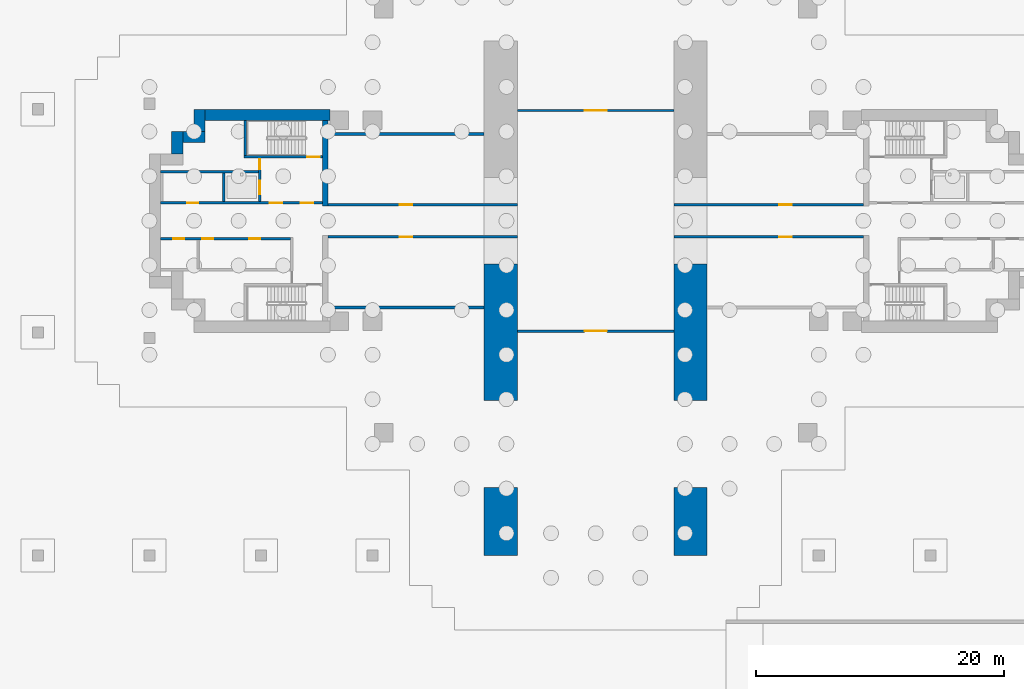
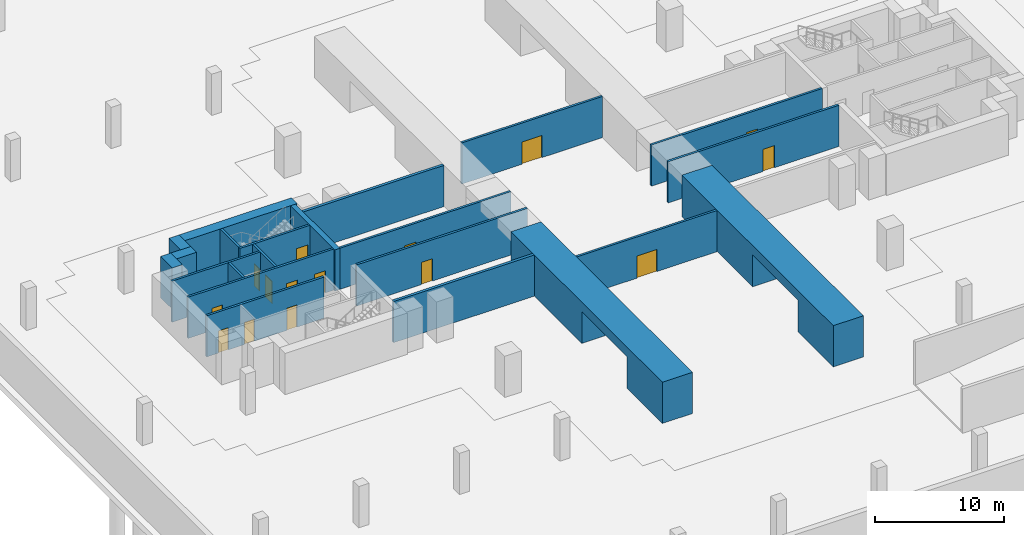
# One storey, part 5 of 11: 22 walls, 15 doors, 15 openings.
"""IFC4 building model written with IfcOpenShell, lengths in metres."""

from ifc_helpers import new_model, si_unit, direction, frame, frame_2d, origin, place, context, subcontext, project, spatial, polyline, rectangle, outline, extrude, material, layer, layer_set, material_profile, profile_set, type_object, element, fill, save


model = new_model("IFC4")

# Units and contexts
model_context = context("Model", 3, precision=1e-05, world=origin(), true_north=direction((0.0, 1.0)))
body_context = subcontext(model_context, "Body", "Model", "MODEL_VIEW")
ifc_project = project(units=[si_unit("LENGTHUNIT", "METRE"), si_unit("AREAUNIT", "SQUARE_METRE"), si_unit("VOLUMEUNIT", "CUBIC_METRE"), si_unit("PLANEANGLEUNIT", "RADIAN"), si_unit("MASSUNIT", "GRAM", prefix="KILO")], contexts=[model_context])

# Site, building, storey
site_placement = place(None, origin())
site = spatial("IfcSite", under=ifc_project, at=site_placement, CompositionType="ELEMENT")
building_placement = place(site_placement, origin())
building = spatial("IfcBuilding", under=site, at=building_placement, Name="Perihelion Cross Residences", CompositionType="ELEMENT")
storey_placement = place(building_placement, frame((0.0, 0.0, -17.10009765625)))
storey = spatial("IfcBuildingStorey", under=building, at=storey_placement, Name="B4", CompositionType="ELEMENT", Elevation=-17.10009765625)

# Walls
ifc_material_1 = material(Name="Concrete C40/50", Category="concrete")
ifc_layer_1 = layer(ifc_material_1, 0.25)
ifc_layer_set_1 = layer_set([ifc_layer_1], Name="Basement enclosure wall 250")
wall_type_1 = type_object("IfcWallType", Name="Basement enclosure wall 250", PredefinedType="SOLIDWALL", material=ifc_layer_set_1)
for number, where, z_axis, x_axis, name in (
    (1, (-9.0, 7.0, 0.0), (0.0, 0.0, 1.0), (-1.0, 0.0, 0.0), "Basement enclosure wall B4 w.encl.n"),
    (2, (-9.0, -7.0, 0.0), (0.0, 0.0, 1.0), (-1.0, 0.0, 0.0), "Basement enclosure wall B4 w.encl.s"),
):
    element("IfcWall", number, at=place(storey_placement, frame(where, z_axis=z_axis, x_axis=x_axis)), inside=storey, type_object=wall_type_1, Name=name, PredefinedType="SOLIDWALL", context=body_context, shape_type="SweptSolid", body=[
        extrude(rectangle(XDim=12.60009765625, YDim=0.25, at=frame_2d((6.300048828125, 0.0))), origin(), (0.0, 0.0, 1.0), 3.900146484375),
    ])
ifc_material_2 = material(Name="Concrete C60/75", Category="concrete")
ifc_layer_2 = layer(ifc_material_2, 0.449951171875)
ifc_layer_set_2 = layer_set([ifc_layer_2], Name="Core wall, inner 450")
wall_type_2 = type_object("IfcWallType", Name="Core wall, inner 450", PredefinedType="SHEAR", material=ifc_layer_set_2)
wall_1_placement = place(storey_placement, frame((-21.824951171875, 1.199951171875, 0.0), z_axis=(0.0, 0.0, 1.0), x_axis=(0.0, 1.0, 0.0)))
element("IfcWall", 3, at=wall_1_placement, inside=storey, type_object=wall_type_2, Name="West core core wall, inner", PredefinedType="SHEAR", context=body_context, shape_type="SweptSolid", body=[
    extrude(rectangle(XDim=6.900146484375, YDim=0.449951171875, at=frame_2d((3.4501953125, 0.0))), origin(), (0.0, 0.0, 1.0), 3.900146484375),
])
ifc_material_3 = material(Name="Concrete C60/75", Category="concrete")
ifc_layer_3 = layer(ifc_material_3, 0.89990234375)
ifc_layer_set_3 = layer_set([ifc_layer_3], Name="Core wall, outer 900")
wall_type_3 = type_object("IfcWallType", Name="Core wall, outer 900", PredefinedType="SHEAR", material=ifc_layer_set_3)
for number, where, z_axis, x_axis, name in (
    (4, (-33.75, 5.39990234375, 0.0), (0.0, 0.0, 1.0), (0.0, 1.0, 0.0), "West core core wall, outer"),
    (5, (-33.300048828125, 6.75, 0.0), (0.0, 0.0, 1.0), (1.0, 0.0, 0.0), "West core core wall, outer"),
    (6, (-31.949951171875, 7.199951171875, 0.0), (0.0, 0.0, 1.0), (0.0, 1.0, 0.0), "West core core wall, outer"),
):
    element("IfcWall", number, at=place(storey_placement, frame(where, z_axis=z_axis, x_axis=x_axis)), inside=storey, type_object=wall_type_3, Name=name, PredefinedType="SHEAR", context=body_context, shape_type="SweptSolid", body=[
        extrude(rectangle(XDim=1.800048828125, YDim=0.89990234375, at=frame_2d((0.89990234375, 0.0))), origin(), (0.0, 0.0, 1.0), 3.900146484375),
    ])
wall_2_placement = place(storey_placement, frame((-31.5, 8.550048828125, 0.0), z_axis=(0.0, 0.0, 1.0), x_axis=(1.0, 0.0, 0.0)))
element("IfcWall", 7, at=wall_2_placement, inside=storey, type_object=wall_type_3, Name="West core core wall, outer", PredefinedType="SHEAR", context=body_context, shape_type="SweptSolid", body=[
    extrude(rectangle(XDim=10.050048828125, YDim=0.89990234375, at=frame_2d((5.02490234375, 0.0))), origin(), (0.0, 0.0, 1.0), 3.900146484375),
])

# Wall, opening, door
ifc_material_4 = material(Name="Concrete block 200", Category="concrete")
ifc_layer_4 = layer(ifc_material_4, 0.199951171875)
ifc_layer_set_4 = layer_set([ifc_layer_4], Name="Parking lobby wall 200")
wall_type_4 = type_object("IfcWallType", Name="Parking lobby wall 200", PredefinedType="PARTITIONING", material=ifc_layer_set_4)
wall_3_placement = place(storey_placement, frame((6.300048828125, 1.300048828125, 0.0), z_axis=(0.0, 0.0, 1.0), x_axis=(1.0, 0.0, 0.0)))
wall_3 = element("IfcWall", 8, at=wall_3_placement, inside=storey, type_object=wall_type_4, Name="Basement partition B4 e.corr.n", PredefinedType="PARTITIONING", context=body_context, shape_type="SweptSolid", body=[
    extrude(rectangle(XDim=15.300048828125, YDim=0.199951171875, at=frame_2d((7.64990234375, 0.0))), origin(), (0.0, 0.0, 1.0), 3.900146484375),
])
opening_1_placement = place(wall_3_placement, frame((8.5, 0.0, 0.0)))
opening_1 = element("IfcOpeningElement", 9, at=opening_1_placement, cuts=wall_3, Name="Opening B4.B01", PredefinedType="OPENING", context=body_context, shape_type="SweptSolid", body=[
    extrude(rectangle(XDim=1.0, YDim=2.10009765625, at=frame_2d((0.5, 1.050048828125))), frame((0.0, 0.10986328125, 0.0), z_axis=(0.0, -1.0, 0.0), x_axis=(1.0, 0.0, 0.0)), (0.0, 0.0, 1.0), 0.219970703125),
])
ifc_material_5 = material(Name="Steel door", Category="steel")
door_type_1 = type_object("IfcDoorType", Name="Basement plant door 1000 x 2100", OperationType="SINGLE_SWING_LEFT", PredefinedType="DOOR", material=ifc_material_5)
door_1_placement = place(opening_1_placement, origin())
door_1 = element("IfcDoor", 10, at=door_1_placement, inside=storey, type_object=door_type_1, Name="Door B4 e.corr.n", OperationType="SINGLE_SWING_LEFT", OverallHeight=2.10009765625, OverallWidth=1.0, PredefinedType="DOOR", context=body_context, shape_type="SweptSolid", body=[
    extrude(rectangle(XDim=1.0, YDim=2.10009765625, at=frame_2d((0.5, 1.050048828125))), frame((0.0, 0.02490234375, 0.0), z_axis=(0.0, -1.0, 0.0), x_axis=(1.0, 0.0, 0.0)), (0.0, 0.0, 1.0), 0.050048828125),
])
fill(opening_1, door_1)

wall_4_placement = place(storey_placement, frame((6.300048828125, -1.300048828125, 0.0), z_axis=(0.0, 0.0, 1.0), x_axis=(1.0, 0.0, 0.0)))
wall_4 = element("IfcWall", 11, at=wall_4_placement, inside=storey, type_object=wall_type_4, Name="Basement partition B4 e.corr.s", PredefinedType="PARTITIONING", context=body_context, shape_type="SweptSolid", body=[
    extrude(rectangle(XDim=15.300048828125, YDim=0.199951171875, at=frame_2d((7.64990234375, 0.0))), origin(), (0.0, 0.0, 1.0), 3.900146484375),
])
opening_2_placement = place(wall_4_placement, frame((8.5, 0.0, 0.0)))
opening_2 = element("IfcOpeningElement", 12, at=opening_2_placement, cuts=wall_4, Name="Opening B4.B02", PredefinedType="OPENING", context=body_context, shape_type="SweptSolid", body=[
    extrude(rectangle(XDim=1.0, YDim=2.10009765625, at=frame_2d((0.5, 1.050048828125))), frame((0.0, 0.10986328125, 0.0), z_axis=(0.0, -1.0, 0.0), x_axis=(1.0, 0.0, 0.0)), (0.0, 0.0, 1.0), 0.219970703125),
])
door_2_placement = place(opening_2_placement, origin())
door_2 = element("IfcDoor", 13, at=door_2_placement, inside=storey, type_object=door_type_1, Name="Door B4 e.corr.s", OperationType="SINGLE_SWING_LEFT", OverallHeight=2.10009765625, OverallWidth=1.0, PredefinedType="DOOR", context=body_context, shape_type="SweptSolid", body=[
    extrude(rectangle(XDim=1.0, YDim=2.10009765625, at=frame_2d((0.5, 1.050048828125))), frame((0.0, 0.02490234375, 0.0), z_axis=(0.0, -1.0, 0.0), x_axis=(1.0, 0.0, 0.0)), (0.0, 0.0, 1.0), 0.050048828125),
])
fill(opening_2, door_2)

wall_5_placement = place(storey_placement, frame((-6.300048828125, 1.300048828125, 0.0), z_axis=(0.0, 0.0, 1.0), x_axis=(-1.0, 0.0, 0.0)))
wall_5 = element("IfcWall", 14, at=wall_5_placement, inside=storey, type_object=wall_type_4, Name="Basement partition B4 w.corr.n", PredefinedType="PARTITIONING", context=body_context, shape_type="SweptSolid", body=[
    extrude(rectangle(XDim=15.300048828125, YDim=0.199951171875, at=frame_2d((7.64990234375, 0.0))), origin(), (0.0, 0.0, 1.0), 3.900146484375),
])
opening_3_placement = place(wall_5_placement, frame((8.5, 0.0, 0.0)))
opening_3 = element("IfcOpeningElement", 15, at=opening_3_placement, cuts=wall_5, Name="Opening B4.B03", PredefinedType="OPENING", context=body_context, shape_type="SweptSolid", body=[
    extrude(rectangle(XDim=1.0, YDim=2.10009765625, at=frame_2d((0.5, 1.050048828125))), frame((0.0, 0.10986328125, 0.0), z_axis=(0.0, -1.0, 0.0), x_axis=(1.0, 0.0, 0.0)), (0.0, 0.0, 1.0), 0.219970703125),
])
door_3_placement = place(opening_3_placement, origin())
door_3 = element("IfcDoor", 16, at=door_3_placement, inside=storey, type_object=door_type_1, Name="Door B4 w.corr.n", OperationType="SINGLE_SWING_LEFT", OverallHeight=2.10009765625, OverallWidth=1.0, PredefinedType="DOOR", context=body_context, shape_type="SweptSolid", body=[
    extrude(rectangle(XDim=1.0, YDim=2.10009765625, at=frame_2d((0.5, 1.050048828125))), frame((0.0, 0.02490234375, 0.0), z_axis=(0.0, -1.0, 0.0), x_axis=(1.0, 0.0, 0.0)), (0.0, 0.0, 1.0), 0.050048828125),
])
fill(opening_3, door_3)

wall_6_placement = place(storey_placement, frame((-6.300048828125, -1.300048828125, 0.0), z_axis=(0.0, 0.0, 1.0), x_axis=(-1.0, 0.0, 0.0)))
wall_6 = element("IfcWall", 17, at=wall_6_placement, inside=storey, type_object=wall_type_4, Name="Basement partition B4 w.corr.s", PredefinedType="PARTITIONING", context=body_context, shape_type="SweptSolid", body=[
    extrude(rectangle(XDim=15.300048828125, YDim=0.199951171875, at=frame_2d((7.64990234375, 0.0))), origin(), (0.0, 0.0, 1.0), 3.900146484375),
])
opening_4_placement = place(wall_6_placement, frame((8.5, 0.0, 0.0)))
opening_4 = element("IfcOpeningElement", 18, at=opening_4_placement, cuts=wall_6, Name="Opening B4.B04", PredefinedType="OPENING", context=body_context, shape_type="SweptSolid", body=[
    extrude(rectangle(XDim=1.0, YDim=2.10009765625, at=frame_2d((0.5, 1.050048828125))), frame((0.0, 0.10986328125, 0.0), z_axis=(0.0, -1.0, 0.0), x_axis=(1.0, 0.0, 0.0)), (0.0, 0.0, 1.0), 0.219970703125),
])
door_4_placement = place(opening_4_placement, origin())
door_4 = element("IfcDoor", 19, at=door_4_placement, inside=storey, type_object=door_type_1, Name="Door B4 w.corr.s", OperationType="SINGLE_SWING_LEFT", OverallHeight=2.10009765625, OverallWidth=1.0, PredefinedType="DOOR", context=body_context, shape_type="SweptSolid", body=[
    extrude(rectangle(XDim=1.0, YDim=2.10009765625, at=frame_2d((0.5, 1.050048828125))), frame((0.0, 0.02490234375, 0.0), z_axis=(0.0, -1.0, 0.0), x_axis=(1.0, 0.0, 0.0)), (0.0, 0.0, 1.0), 0.050048828125),
])
fill(opening_4, door_4)

wall_7_placement = place(storey_placement, frame((-6.300048828125, 8.89990234375, 0.0), z_axis=(0.0, 0.0, 1.0), x_axis=(1.0, 0.0, 0.0)))
wall_7 = element("IfcWall", 20, at=wall_7_placement, inside=storey, type_object=wall_type_4, Name="Basement partition B4 hub.n", PredefinedType="PARTITIONING", context=body_context, shape_type="SweptSolid", body=[
    extrude(rectangle(XDim=12.60009765625, YDim=0.199951171875, at=frame_2d((6.300048828125, 0.0))), origin(), (0.0, 0.0, 1.0), 3.900146484375),
])
opening_5_placement = place(wall_7_placement, frame((5.39990234375, 0.0, 0.0)))
opening_5 = element("IfcOpeningElement", 21, at=opening_5_placement, cuts=wall_7, Name="Opening B4.B05", PredefinedType="OPENING", context=body_context, shape_type="SweptSolid", body=[
    extrude(rectangle(XDim=1.800048828125, YDim=2.10009765625, at=frame_2d((0.89990234375, 1.050048828125))), frame((0.0, 0.10986328125, 0.0), z_axis=(0.0, -1.0, 0.0), x_axis=(1.0, 0.0, 0.0)), (0.0, 0.0, 1.0), 0.219970703125),
])
ifc_material_6 = material(Name="Steel door", Category="steel")
door_type_2 = type_object("IfcDoorType", Name="Lobby door 1800 x 2100", OperationType="DOUBLE_DOOR_SINGLE_SWING", PredefinedType="DOOR", material=ifc_material_6)
door_5_placement = place(opening_5_placement, origin())
door_5 = element("IfcDoor", 22, at=door_5_placement, inside=storey, type_object=door_type_2, Name="Door B4 hub.n", OperationType="SINGLE_SWING_LEFT", OverallHeight=2.10009765625, OverallWidth=1.800048828125, PredefinedType="DOOR", context=body_context, shape_type="SweptSolid", body=[
    extrude(rectangle(XDim=1.800048828125, YDim=2.10009765625, at=frame_2d((0.89990234375, 1.050048828125))), frame((0.0, 0.02490234375, 0.0), z_axis=(0.0, -1.0, 0.0), x_axis=(1.0, 0.0, 0.0)), (0.0, 0.0, 1.0), 0.050048828125),
])
fill(opening_5, door_5)

wall_8_placement = place(storey_placement, frame((-6.300048828125, -8.89990234375, 0.0), z_axis=(0.0, 0.0, 1.0), x_axis=(1.0, 0.0, 0.0)))
wall_8 = element("IfcWall", 23, at=wall_8_placement, inside=storey, type_object=wall_type_4, Name="Basement partition B4 hub.s", PredefinedType="PARTITIONING", context=body_context, shape_type="SweptSolid", body=[
    extrude(rectangle(XDim=12.60009765625, YDim=0.199951171875, at=frame_2d((6.300048828125, 0.0))), origin(), (0.0, 0.0, 1.0), 3.900146484375),
])
opening_6_placement = place(wall_8_placement, frame((5.39990234375, 0.0, 0.0)))
opening_6 = element("IfcOpeningElement", 24, at=opening_6_placement, cuts=wall_8, Name="Opening B4.B06", PredefinedType="OPENING", context=body_context, shape_type="SweptSolid", body=[
    extrude(rectangle(XDim=1.800048828125, YDim=2.10009765625, at=frame_2d((0.89990234375, 1.050048828125))), frame((0.0, 0.10986328125, 0.0), z_axis=(0.0, -1.0, 0.0), x_axis=(1.0, 0.0, 0.0)), (0.0, 0.0, 1.0), 0.219970703125),
])
door_6_placement = place(opening_6_placement, origin())
door_6 = element("IfcDoor", 25, at=door_6_placement, inside=storey, type_object=door_type_2, Name="Door B4 hub.s", OperationType="SINGLE_SWING_LEFT", OverallHeight=2.10009765625, OverallWidth=1.800048828125, PredefinedType="DOOR", context=body_context, shape_type="SweptSolid", body=[
    extrude(rectangle(XDim=1.800048828125, YDim=2.10009765625, at=frame_2d((0.89990234375, 1.050048828125))), frame((0.0, 0.02490234375, 0.0), z_axis=(0.0, -1.0, 0.0), x_axis=(1.0, 0.0, 0.0)), (0.0, 0.0, 1.0), 0.050048828125),
])
fill(opening_6, door_6)

# Walls
ifc_material_7 = material(Name="Concrete C60/75", Category="concrete")
ifc_material_profile_1 = material_profile(ifc_material_7, outline(polyline([(0.0, 0.0), (5.5, 0.0), (5.5, 3.0), (12.5, 3.0), (12.5, 0.0), (23.5, 0.0), (23.5, 3.89990234375), (0.0, 3.89990234375), (0.0, 0.0)])), Name="Pier wall")
ifc_profile_set_1 = profile_set([ifc_material_profile_1], Name="Concrete C60/75")
wall_type_5 = type_object("IfcWallType", Name="Pier wall 2700 with 1 lane openings 23500 long 3900 high concrete C60/75", PredefinedType="SOLIDWALL", material=ifc_profile_set_1)
wall_9_placement = place(storey_placement, frame((6.300048828125, -27.0, 0.0), z_axis=(1.0, 0.0, 0.0), x_axis=(0.0, 1.0, 0.0)))
element("IfcWall", 26, at=wall_9_placement, inside=storey, type_object=wall_type_5, Name="Shear wall SW2 B4 pier east south", PredefinedType="SOLIDWALL", context=body_context, shape_type="SweptSolid", body=[
    extrude(outline(polyline([(0.0, 0.0), (5.5, 0.0), (5.5, 3.0), (12.5, 3.0), (12.5, 0.0), (23.5, 0.0), (23.5, 3.89990234375), (0.0, 3.89990234375), (0.0, 0.0)])), origin(), (0.0, 0.0, 1.0), 2.699951171875),
])
ifc_material_8 = material(Name="Concrete C60/75", Category="concrete")
ifc_material_profile_2 = material_profile(ifc_material_8, outline(polyline([(0.0, 0.0), (5.5, 0.0), (5.5, 3.0), (12.5, 3.0), (12.5, 0.0), (23.5, 0.0), (23.5, 3.89990234375), (0.0, 3.89990234375), (0.0, 0.0)])), Name="Pier wall")
ifc_profile_set_2 = profile_set([ifc_material_profile_2], Name="Concrete C60/75")
wall_type_6 = type_object("IfcWallType", Name="Pier wall 2700 with 1 lane openings 23500 long 3900 high concrete C60/75 hand A", PredefinedType="SOLIDWALL", material=ifc_profile_set_2)
wall_10_placement = place(storey_placement, frame((-9.0, -27.0, 0.0), z_axis=(1.0, 0.0, 0.0), x_axis=(0.0, 1.0, 0.0)))
element("IfcWall", 27, at=wall_10_placement, inside=storey, type_object=wall_type_6, Name="Shear wall SW4 B4 pier west south", PredefinedType="SOLIDWALL", context=body_context, shape_type="SweptSolid", body=[
    extrude(outline(polyline([(0.0, 0.0), (5.5, 0.0), (5.5, 3.0), (12.5, 3.0), (12.5, 0.0), (23.5, 0.0), (23.5, 3.89990234375), (0.0, 3.89990234375), (0.0, 0.0)])), origin(), (0.0, 0.0, 1.0), 2.699951171875),
])

# Wall, openings, doors
ifc_material_9 = material(Name="Concrete C50/60", Category="concrete")
ifc_layer_5 = layer(ifc_material_9, 0.199951171875)
ifc_layer_set_5 = layer_set([ifc_layer_5], Name="Shaft wall 200")
wall_type_7 = type_object("IfcWallType", Name="Shaft wall 200", PredefinedType="SOLIDWALL", material=ifc_layer_set_5)
wall_11_placement = place(storey_placement, frame((-35.10009765625, 1.449951171875, 0.0), z_axis=(0.0, 0.0, 1.0), x_axis=(1.0, 0.0, 0.0)))
wall_11 = element("IfcWall", 28, at=wall_11_placement, inside=storey, type_object=wall_type_7, Name="West core shaft wall", PredefinedType="SOLIDWALL", context=body_context, shape_type="SweptSolid", body=[
    extrude(rectangle(XDim=13.050048828125, YDim=0.199951171875, at=frame_2d((6.52490234375, 0.0))), origin(), (0.0, 0.0, 1.0), 3.900146484375),
])
opening_7_placement = place(wall_11_placement, frame((11.300048828125, 0.0, 0.0)))
opening_7 = element("IfcOpeningElement", 29, at=opening_7_placement, cuts=wall_11, Name="Opening B4.C15", PredefinedType="OPENING", context=body_context, shape_type="SweptSolid", body=[
    extrude(rectangle(XDim=1.0, YDim=2.10009765625, at=frame_2d((0.5, 1.050048828125))), frame((0.0, 0.10986328125, 0.0), z_axis=(0.0, -1.0, 0.0), x_axis=(1.0, 0.0, 0.0)), (0.0, 0.0, 1.0), 0.219970703125),
])
opening_8_placement = place(wall_11_placement, frame((8.800048828125, 0.0, 0.0)))
opening_8 = element("IfcOpeningElement", 30, at=opening_8_placement, cuts=wall_11, Name="Opening B4.C17", PredefinedType="OPENING", context=body_context, shape_type="SweptSolid", body=[
    extrude(rectangle(XDim=1.0, YDim=2.10009765625, at=frame_2d((0.5, 1.050048828125))), frame((0.0, 0.10986328125, 0.0), z_axis=(0.0, -1.0, 0.0), x_axis=(1.0, 0.0, 0.0)), (0.0, 0.0, 1.0), 0.219970703125),
])
opening_9_placement = place(wall_11_placement, frame((2.14990234375, 0.0, 0.0)))
opening_9 = element("IfcOpeningElement", 31, at=opening_9_placement, cuts=wall_11, Name="Opening B4.C21", PredefinedType="OPENING", context=body_context, shape_type="SweptSolid", body=[
    extrude(rectangle(XDim=0.89990234375, YDim=2.10009765625, at=frame_2d((0.449951171875, 1.050048828125))), frame((0.0, 0.10986328125, 0.0), z_axis=(0.0, -1.0, 0.0), x_axis=(1.0, 0.0, 0.0)), (0.0, 0.0, 1.0), 0.219970703125),
])
ifc_material_10 = material(Name="Steel, powder coated", Category="steel")
door_type_3 = type_object("IfcDoorType", Name="Lobby door 1000", OperationType="SINGLE_SWING_LEFT", PredefinedType="DOOR", material=ifc_material_10)
door_7_placement = place(opening_7_placement, origin())
door_7 = element("IfcDoor", 32, at=door_7_placement, inside=storey, type_object=door_type_3, Name="West core firefighting lobby door", OperationType="SINGLE_SWING_LEFT", OverallHeight=2.10009765625, OverallWidth=1.0, PredefinedType="DOOR", context=body_context, shape_type="SweptSolid", body=[
    extrude(rectangle(XDim=1.0, YDim=2.10009765625, at=frame_2d((0.5, 1.050048828125))), frame((0.0, 0.02490234375, 0.0), z_axis=(0.0, -1.0, 0.0), x_axis=(1.0, 0.0, 0.0)), (0.0, 0.0, 1.0), 0.050048828125),
])
fill(opening_7, door_7)
door_8_placement = place(opening_8_placement, origin())
door_8 = element("IfcDoor", 33, at=door_8_placement, inside=storey, type_object=door_type_3, Name="West core firefighting lobby door", OperationType="SINGLE_SWING_LEFT", OverallHeight=2.10009765625, OverallWidth=1.0, PredefinedType="DOOR", context=body_context, shape_type="SweptSolid", body=[
    extrude(rectangle(XDim=1.0, YDim=2.10009765625, at=frame_2d((0.5, 1.050048828125))), frame((0.0, 0.02490234375, 0.0), z_axis=(0.0, -1.0, 0.0), x_axis=(1.0, 0.0, 0.0)), (0.0, 0.0, 1.0), 0.050048828125),
])
fill(opening_8, door_8)
ifc_material_11 = material(Name="Steel, powder coated", Category="steel")
door_type_4 = type_object("IfcDoorType", Name="Service room door 900", OperationType="SINGLE_SWING_LEFT", PredefinedType="DOOR", material=ifc_material_11)
door_9_placement = place(opening_9_placement, origin())
door_9 = element("IfcDoor", 34, at=door_9_placement, inside=storey, type_object=door_type_4, Name="West core service room door", OperationType="SINGLE_SWING_LEFT", OverallHeight=2.10009765625, OverallWidth=0.89990234375, PredefinedType="DOOR", context=body_context, shape_type="SweptSolid", body=[
    extrude(rectangle(XDim=0.89990234375, YDim=2.10009765625, at=frame_2d((0.449951171875, 1.050048828125))), frame((0.0, 0.02490234375, 0.0), z_axis=(0.0, -1.0, 0.0), x_axis=(1.0, 0.0, 0.0)), (0.0, 0.0, 1.0), 0.050048828125),
])
fill(opening_9, door_9)

wall_12_placement = place(storey_placement, frame((-35.10009765625, -1.449951171875, 0.0), z_axis=(0.0, 0.0, 1.0), x_axis=(1.0, 0.0, 0.0)))
wall_12 = element("IfcWall", 35, at=wall_12_placement, inside=storey, type_object=wall_type_7, Name="West core shaft wall", PredefinedType="SOLIDWALL", context=body_context, shape_type="SweptSolid", body=[
    extrude(rectangle(XDim=10.5, YDim=0.199951171875, at=frame_2d((5.25, 0.0))), origin(), (0.0, 0.0, 1.0), 3.900146484375),
])
opening_10_placement = place(wall_12_placement, frame((7.14990234375, 0.0, 0.0)))
opening_10 = element("IfcOpeningElement", 36, at=opening_10_placement, cuts=wall_12, Name="Opening B4.C19", PredefinedType="OPENING", context=body_context, shape_type="SweptSolid", body=[
    extrude(rectangle(XDim=0.89990234375, YDim=2.10009765625, at=frame_2d((0.449951171875, 1.050048828125))), frame((0.0, 0.10986328125, 0.0), z_axis=(0.0, -1.0, 0.0), x_axis=(1.0, 0.0, 0.0)), (0.0, 0.0, 1.0), 0.219970703125),
])
opening_11_placement = place(wall_12_placement, frame((3.35009765625, 0.0, 0.0)))
opening_11 = element("IfcOpeningElement", 37, at=opening_11_placement, cuts=wall_12, Name="Opening B4.C20", PredefinedType="OPENING", context=body_context, shape_type="SweptSolid", body=[
    extrude(rectangle(XDim=0.89990234375, YDim=2.10009765625, at=frame_2d((0.449951171875, 1.050048828125))), frame((0.0, 0.10986328125, 0.0), z_axis=(0.0, -1.0, 0.0), x_axis=(1.0, 0.0, 0.0)), (0.0, 0.0, 1.0), 0.219970703125),
])
opening_12_placement = place(wall_12_placement, frame((1.02490234375, 0.0, 0.0)))
opening_12 = element("IfcOpeningElement", 38, at=opening_12_placement, cuts=wall_12, Name="Opening B4.C22", PredefinedType="OPENING", context=body_context, shape_type="SweptSolid", body=[
    extrude(rectangle(XDim=0.89990234375, YDim=2.10009765625, at=frame_2d((0.449951171875, 1.050048828125))), frame((0.0, 0.10986328125, 0.0), z_axis=(0.0, -1.0, 0.0), x_axis=(1.0, 0.0, 0.0)), (0.0, 0.0, 1.0), 0.219970703125),
])
door_10_placement = place(opening_10_placement, origin())
door_10 = element("IfcDoor", 39, at=door_10_placement, inside=storey, type_object=door_type_4, Name="West core service room door", OperationType="SINGLE_SWING_LEFT", OverallHeight=2.10009765625, OverallWidth=0.89990234375, PredefinedType="DOOR", context=body_context, shape_type="SweptSolid", body=[
    extrude(rectangle(XDim=0.89990234375, YDim=2.10009765625, at=frame_2d((0.449951171875, 1.050048828125))), frame((0.0, 0.02490234375, 0.0), z_axis=(0.0, -1.0, 0.0), x_axis=(1.0, 0.0, 0.0)), (0.0, 0.0, 1.0), 0.050048828125),
])
fill(opening_10, door_10)
door_11_placement = place(opening_11_placement, origin())
door_11 = element("IfcDoor", 40, at=door_11_placement, inside=storey, type_object=door_type_4, Name="West core service room door", OperationType="SINGLE_SWING_LEFT", OverallHeight=2.10009765625, OverallWidth=0.89990234375, PredefinedType="DOOR", context=body_context, shape_type="SweptSolid", body=[
    extrude(rectangle(XDim=0.89990234375, YDim=2.10009765625, at=frame_2d((0.449951171875, 1.050048828125))), frame((0.0, 0.02490234375, 0.0), z_axis=(0.0, -1.0, 0.0), x_axis=(1.0, 0.0, 0.0)), (0.0, 0.0, 1.0), 0.050048828125),
])
fill(opening_11, door_11)
door_12_placement = place(opening_12_placement, origin())
door_12 = element("IfcDoor", 41, at=door_12_placement, inside=storey, type_object=door_type_4, Name="West core service room door", OperationType="SINGLE_SWING_LEFT", OverallHeight=2.10009765625, OverallWidth=0.89990234375, PredefinedType="DOOR", context=body_context, shape_type="SweptSolid", body=[
    extrude(rectangle(XDim=0.89990234375, YDim=2.10009765625, at=frame_2d((0.449951171875, 1.050048828125))), frame((0.0, 0.02490234375, 0.0), z_axis=(0.0, -1.0, 0.0), x_axis=(1.0, 0.0, 0.0)), (0.0, 0.0, 1.0), 0.050048828125),
])
fill(opening_12, door_12)

# Wall
wall_13_placement = place(storey_placement, frame((-35.10009765625, 3.949951171875, 0.0), z_axis=(0.0, 0.0, 1.0), x_axis=(1.0, 0.0, 0.0)))
element("IfcWall", 42, at=wall_13_placement, inside=storey, type_object=wall_type_7, Name="West core shaft wall", PredefinedType="SOLIDWALL", context=body_context, shape_type="SweptSolid", body=[
    extrude(rectangle(XDim=7.900146484375, YDim=0.199951171875, at=frame_2d((3.9501953125, 0.0))), origin(), (0.0, 0.0, 1.0), 3.900146484375),
])

# Wall, openings, doors
wall_14_placement = place(storey_placement, frame((-27.10009765625, 1.550048828125, 0.0), z_axis=(0.0, 0.0, 1.0), x_axis=(0.0, 1.0, 0.0)))
wall_14 = element("IfcWall", 43, at=wall_14_placement, inside=storey, type_object=wall_type_7, Name="West core shaft wall", PredefinedType="SOLIDWALL", context=body_context, shape_type="SweptSolid", body=[
    extrude(rectangle(XDim=3.5, YDim=0.199951171875, at=frame_2d((1.75, 0.0))), origin(), (0.0, 0.0, 1.0), 3.900146484375),
])
opening_13_placement = place(wall_14_placement, frame((0.60009765625, 0.0, 0.0)))
opening_13 = element("IfcOpeningElement", 44, at=opening_13_placement, cuts=wall_14, Name="Opening B4.C12", PredefinedType="OPENING", context=body_context, shape_type="SweptSolid", body=[
    extrude(rectangle(XDim=1.10009765625, YDim=2.10009765625, at=frame_2d((0.550048828125, 1.050048828125))), frame((0.0, 0.10986328125, 0.0), z_axis=(0.0, -1.0, 0.0), x_axis=(1.0, 0.0, 0.0)), (0.0, 0.0, 1.0), 0.219970703125),
])
opening_14_placement = place(wall_14_placement, frame((2.60009765625, 0.0, 0.0)))
opening_14 = element("IfcOpeningElement", 45, at=opening_14_placement, cuts=wall_14, Name="Opening B4.C18", PredefinedType="OPENING", context=body_context, shape_type="SweptSolid", body=[
    extrude(rectangle(XDim=0.800048828125, YDim=2.10009765625, at=frame_2d((0.39990234375, 1.050048828125))), frame((0.0, 0.10986328125, 0.0), z_axis=(0.0, -1.0, 0.0), x_axis=(1.0, 0.0, 0.0)), (0.0, 0.0, 1.0), 0.219970703125),
])
ifc_material_12 = material(Name="Stainless steel", Category="steel")
door_type_5 = type_object("IfcDoorType", Name="Landing door, firefighting lift 1100", OperationType="DOUBLE_DOOR_SLIDING", PredefinedType="DOOR", material=ifc_material_12)
door_13_placement = place(opening_13_placement, origin())
door_13 = element("IfcDoor", 46, at=door_13_placement, inside=storey, type_object=door_type_5, Name="Landing door, West core firefighting and service lift", OperationType="DOUBLE_DOOR_SLIDING", OverallHeight=2.10009765625, OverallWidth=1.10009765625, PredefinedType="DOOR", context=body_context, shape_type="SweptSolid", body=[
    extrude(rectangle(XDim=1.10009765625, YDim=2.10009765625, at=frame_2d((0.550048828125, 1.050048828125))), frame((0.0, 0.02490234375, 0.0), z_axis=(0.0, -1.0, 0.0), x_axis=(1.0, 0.0, 0.0)), (0.0, 0.0, 1.0), 0.050048828125),
])
fill(opening_13, door_13)
ifc_material_13 = material(Name="Steel, powder coated", Category="steel")
door_type_6 = type_object("IfcDoorType", Name="Riser door 800", OperationType="SINGLE_SWING_LEFT", PredefinedType="DOOR", material=ifc_material_13)
door_14_placement = place(opening_14_placement, origin())
door_14 = element("IfcDoor", 47, at=door_14_placement, inside=storey, type_object=door_type_6, Name="West core riser door", OperationType="SINGLE_SWING_LEFT", OverallHeight=2.10009765625, OverallWidth=0.800048828125, PredefinedType="DOOR", context=body_context, shape_type="SweptSolid", body=[
    extrude(rectangle(XDim=0.800048828125, YDim=2.10009765625, at=frame_2d((0.39990234375, 1.050048828125))), frame((0.0, 0.02490234375, 0.0), z_axis=(0.0, -1.0, 0.0), x_axis=(1.0, 0.0, 0.0)), (0.0, 0.0, 1.0), 0.050048828125),
])
fill(opening_14, door_14)

# Wall
wall_15_placement = place(storey_placement, frame((-30.0, 1.550048828125, 0.0), z_axis=(0.0, 0.0, 1.0), x_axis=(0.0, 1.0, 0.0)))
element("IfcWall", 48, at=wall_15_placement, inside=storey, type_object=wall_type_7, Name="West core shaft wall", PredefinedType="SOLIDWALL", context=body_context, shape_type="SweptSolid", body=[
    extrude(rectangle(XDim=2.300048828125, YDim=0.199951171875, at=frame_2d((1.14990234375, 0.0))), origin(), (0.0, 0.0, 1.0), 3.900146484375),
])

# Wall, opening, door
ifc_material_14 = material(Name="Concrete C50/60", Category="concrete")
ifc_layer_6 = layer(ifc_material_14, 0.199951171875)
ifc_layer_set_6 = layer_set([ifc_layer_6], Name="Stair wall 200")
wall_type_8 = type_object("IfcWallType", Name="Stair wall 200", PredefinedType="SOLIDWALL", material=ifc_layer_set_6)
wall_16_placement = place(storey_placement, frame((-28.35009765625, 5.14990234375, 0.0), z_axis=(0.0, 0.0, 1.0), x_axis=(1.0, 0.0, 0.0)))
wall_16 = element("IfcWall", 49, at=wall_16_placement, inside=storey, type_object=wall_type_8, Name="West core stair wall", PredefinedType="SOLIDWALL", context=body_context, shape_type="SweptSolid", body=[
    extrude(rectangle(XDim=6.300048828125, YDim=0.199951171875, at=frame_2d((3.14990234375, 0.0))), origin(), (0.0, 0.0, 1.0), 3.900146484375),
])
opening_15_placement = place(wall_16_placement, frame((5.10009765625, 0.0, 0.0)))
opening_15 = element("IfcOpeningElement", 50, at=opening_15_placement, cuts=wall_16, Name="Opening B4.C14", PredefinedType="OPENING", context=body_context, shape_type="SweptSolid", body=[
    extrude(rectangle(XDim=1.0, YDim=2.10009765625, at=frame_2d((0.5, 1.050048828125))), frame((0.0, 0.10986328125, 0.0), z_axis=(0.0, -1.0, 0.0), x_axis=(1.0, 0.0, 0.0)), (0.0, 0.0, 1.0), 0.219970703125),
])
ifc_material_15 = material(Name="Steel, powder coated", Category="steel")
door_type_7 = type_object("IfcDoorType", Name="Stair door 1000", OperationType="SINGLE_SWING_LEFT", PredefinedType="DOOR", material=ifc_material_15)
door_15_placement = place(opening_15_placement, origin())
door_15 = element("IfcDoor", 51, at=door_15_placement, inside=storey, type_object=door_type_7, Name="West core stair door", OperationType="SINGLE_SWING_LEFT", OverallHeight=2.10009765625, OverallWidth=1.0, PredefinedType="DOOR", context=body_context, shape_type="SweptSolid", body=[
    extrude(rectangle(XDim=1.0, YDim=2.10009765625, at=frame_2d((0.5, 1.050048828125))), frame((0.0, 0.02490234375, 0.0), z_axis=(0.0, -1.0, 0.0), x_axis=(1.0, 0.0, 0.0)), (0.0, 0.0, 1.0), 0.050048828125),
])
fill(opening_15, door_15)

# Wall
wall_17_placement = place(storey_placement, frame((-28.25, 5.25, 0.0), z_axis=(0.0, 0.0, 1.0), x_axis=(0.0, 1.0, 0.0)))
element("IfcWall", 52, at=wall_17_placement, inside=storey, type_object=wall_type_8, Name="West core stair wall", PredefinedType="SOLIDWALL", context=body_context, shape_type="SweptSolid", body=[
    extrude(rectangle(XDim=2.85009765625, YDim=0.199951171875, at=frame_2d((1.425048828125, 0.0))), origin(), (0.0, 0.0, 1.0), 3.900146484375),
])

save(model, "model.ifc")
